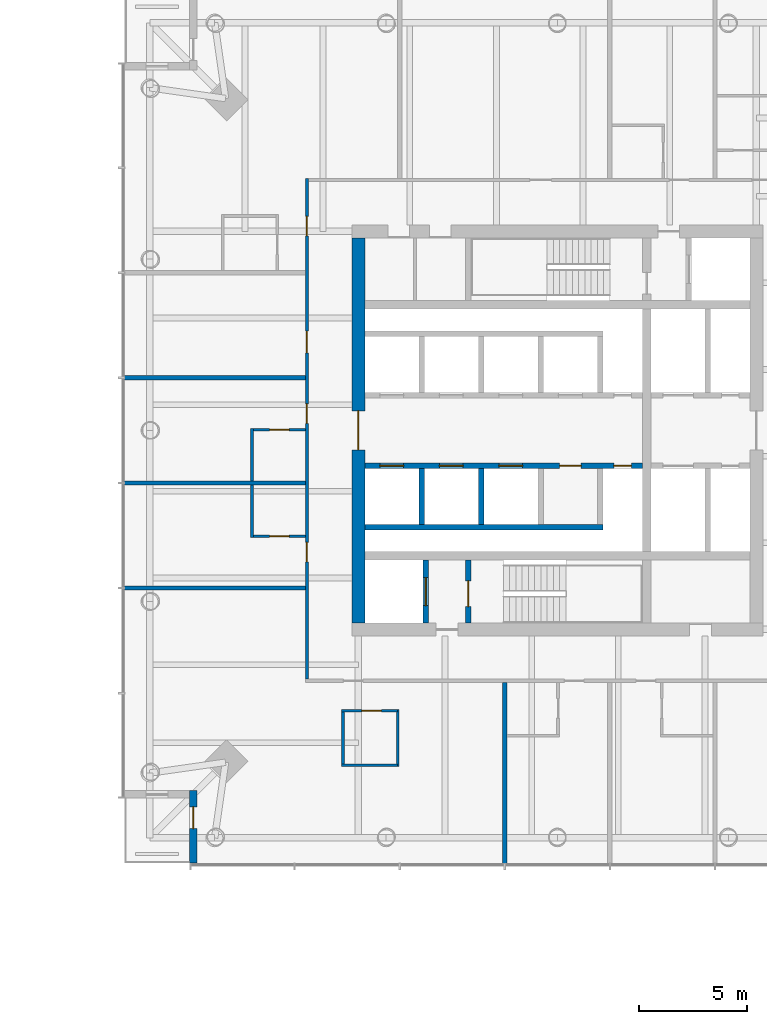
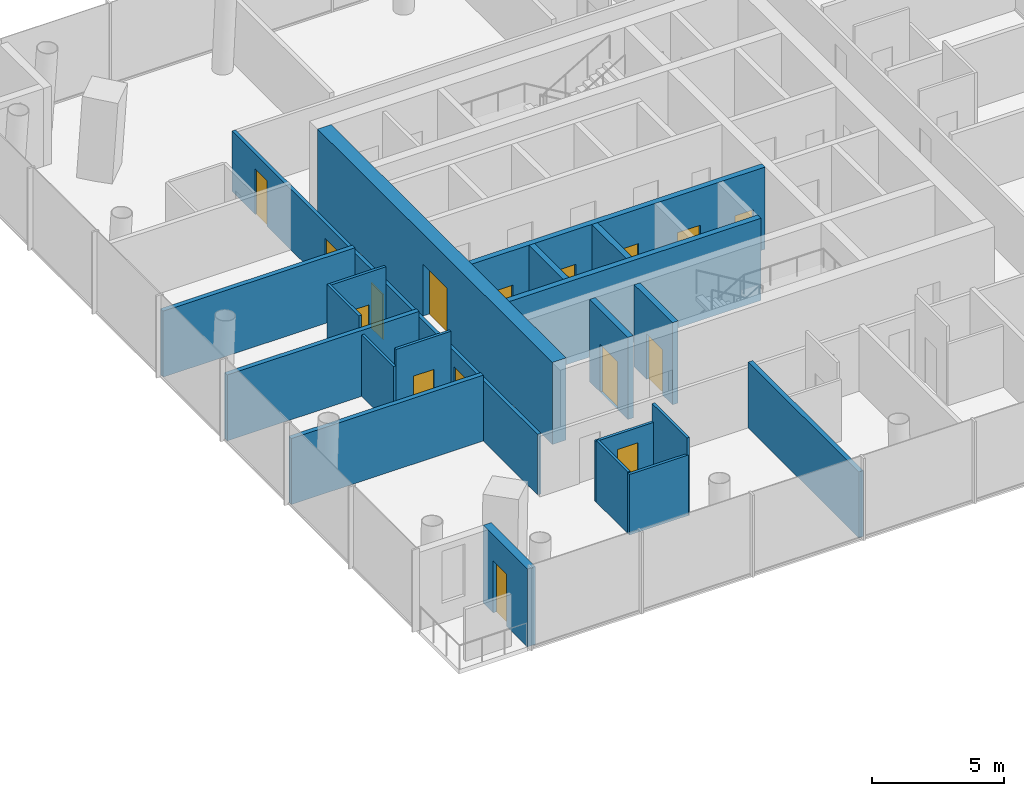
# One storey, part 13 of 19: 21 walls, 16 doors, 16 openings.
"""IFC4 building model written with IfcOpenShell, lengths in metres."""

from ifc_helpers import new_model, si_unit, direction, frame, frame_2d, origin, place, context, subcontext, project, spatial, rectangle, extrude, material, layer, layer_set, type_object, element, fill, save


model = new_model("IFC4")

# Units and contexts
model_context = context("Model", 3, precision=1e-05, world=origin(), true_north=direction((0.0, 1.0)))
body_context = subcontext(model_context, "Body", "Model", "MODEL_VIEW")
ifc_project = project(units=[si_unit("LENGTHUNIT", "METRE"), si_unit("AREAUNIT", "SQUARE_METRE"), si_unit("VOLUMEUNIT", "CUBIC_METRE"), si_unit("PLANEANGLEUNIT", "RADIAN"), si_unit("MASSUNIT", "GRAM", prefix="KILO")], contexts=[model_context])

# Site, building, storey
site_placement = place(None, origin())
site = spatial("IfcSite", under=ifc_project, at=site_placement, CompositionType="ELEMENT")
building_placement = place(site_placement, origin())
building = spatial("IfcBuilding", under=site, at=building_placement, Name="Ostroluk Exchange", CompositionType="ELEMENT")
storey_placement = place(building_placement, frame((0.0, 0.0, 24.800048828125)))
storey = spatial("IfcBuildingStorey", under=building, at=storey_placement, Name="L05", CompositionType="ELEMENT", Elevation=24.800048828125)

# Wall, opening, door
ifc_material_1 = material(Name="Concrete C40/50", Category="concrete")
ifc_layer_1 = layer(ifc_material_1, 0.25)
ifc_layer_set_1 = layer_set([ifc_layer_1], Name="Core shaft wall 250")
wall_type_1 = type_object("IfcWallType", Name="Core shaft wall 250", PredefinedType="SHEAR", material=ifc_layer_set_1)
wall_1_placement = place(storey_placement, frame((110.925048828125, 37.10009765625, 0.0), z_axis=(0.0, 0.0, 1.0), x_axis=(0.0, 1.0, 0.0)))
wall_1 = element("IfcWall", 1, at=wall_1_placement, inside=storey, type_object=wall_type_1, Name="Firefighting lift shaft wall", PredefinedType="SHEAR", context=body_context, shape_type="SweptSolid", body=[
    extrude(rectangle(XDim=2.89990234375, YDim=0.25, at=frame_2d((1.449951171875, 0.0))), origin(), (0.0, 0.0, 1.0), 3.800048828125),
])
opening_1_placement = place(wall_1_placement, frame((0.800048828125, 0.0, 0.0)))
opening_1 = element("IfcOpeningElement", 2, at=opening_1_placement, cuts=wall_1, Name="Opening LD2", PredefinedType="OPENING", context=body_context, shape_type="SweptSolid", body=[
    extrude(rectangle(XDim=1.300048828125, YDim=2.199951171875, at=frame_2d((0.64990234375, 1.10009765625))), frame((0.0, 0.135009765625, 0.0), z_axis=(0.0, -1.0, 0.0), x_axis=(1.0, 0.0, 0.0)), (0.0, 0.0, 1.0), 0.27001953125),
])
ifc_material_2 = material(Name="Stainless steel", Category="steel")
door_type_1 = type_object("IfcDoorType", Name="Lift landing door E 60 1300 x 2200", OperationType="DOUBLE_DOOR_SLIDING", PredefinedType="DOOR", material=ifc_material_2)
door_1_placement = place(opening_1_placement, origin())
door_1 = element("IfcDoor", 3, at=door_1_placement, inside=storey, type_object=door_type_1, Name="Lift HF1 landing door", OperationType="DOUBLE_DOOR_SLIDING", OverallHeight=2.199951171875, OverallWidth=1.300048828125, PredefinedType="DOOR", context=body_context, shape_type="SweptSolid", body=[
    extrude(rectangle(XDim=1.300048828125, YDim=2.199951171875, at=frame_2d((0.64990234375, 1.10009765625))), frame((0.0, 0.02490234375, 0.0), z_axis=(0.0, -1.0, 0.0), x_axis=(1.0, 0.0, 0.0)), (0.0, 0.0, 1.0), 0.050048828125),
])
fill(opening_1, door_1)

wall_2_placement = place(storey_placement, frame((112.875, 37.10009765625, 0.0), z_axis=(0.0, 0.0, 1.0), x_axis=(0.0, 1.0, 0.0)))
wall_2 = element("IfcWall", 4, at=wall_2_placement, inside=storey, type_object=wall_type_1, Name="Stair shaft wall", PredefinedType="SHEAR", context=body_context, shape_type="SweptSolid", body=[
    extrude(rectangle(XDim=2.89990234375, YDim=0.25, at=frame_2d((1.449951171875, 0.0))), origin(), (0.0, 0.0, 1.0), 3.800048828125),
])
opening_2_placement = place(wall_2_placement, frame((0.75, 0.0, 0.0)))
opening_2 = element("IfcOpeningElement", 5, at=opening_2_placement, cuts=wall_2, Name="Opening FD60S", PredefinedType="OPENING", context=body_context, shape_type="SweptSolid", body=[
    extrude(rectangle(XDim=1.199951171875, YDim=2.10009765625, at=frame_2d((0.60009765625, 1.050048828125))), frame((0.0, 0.135009765625, 0.0), z_axis=(0.0, -1.0, 0.0), x_axis=(1.0, 0.0, 0.0)), (0.0, 0.0, 1.0), 0.27001953125),
])
ifc_material_3 = material(Name="Steel", Category="steel")
door_type_2 = type_object("IfcDoorType", Name="Stair door EI 60 1200 x 2100", OperationType="SINGLE_SWING_LEFT", PredefinedType="DOOR", material=ifc_material_3)
door_2_placement = place(opening_2_placement, origin())
door_2 = element("IfcDoor", 6, at=door_2_placement, inside=storey, type_object=door_type_2, Name="Stair T2-S1 door", OperationType="SINGLE_SWING_LEFT", OverallHeight=2.10009765625, OverallWidth=1.199951171875, PredefinedType="DOOR", context=body_context, shape_type="SweptSolid", body=[
    extrude(rectangle(XDim=1.199951171875, YDim=2.10009765625, at=frame_2d((0.60009765625, 1.050048828125))), frame((0.0, 0.02490234375, 0.0), z_axis=(0.0, -1.0, 0.0), x_axis=(1.0, 0.0, 0.0)), (0.0, 0.0, 1.0), 0.050048828125),
])
fill(opening_2, door_2)

# Walls
for number, where, z_axis, x_axis, name in (
    (7, (110.72509765625, 44.25, 0.0), (0.0, 0.0, 1.0), (0.0, -1.0, 0.0), "Lift shaft wall"),
    (8, (113.47509765625, 44.25, 0.0), (0.0, 0.0, 1.0), (0.0, -1.0, 0.0), "Lift shaft wall"),
):
    element("IfcWall", number, at=place(storey_placement, frame(where, z_axis=z_axis, x_axis=x_axis)), inside=storey, type_object=wall_type_1, Name=name, PredefinedType="SHEAR", context=body_context, shape_type="SweptSolid", body=[
        extrude(rectangle(XDim=2.60009765625, YDim=0.25, at=frame_2d((1.300048828125, 0.0))), origin(), (0.0, 0.0, 1.0), 3.800048828125),
    ])
wall_3_placement = place(storey_placement, frame((108.10009765625, 41.52490234375, 0.0), z_axis=(0.0, 0.0, 1.0), x_axis=(1.0, 0.0, 0.0)))
element("IfcWall", 9, at=wall_3_placement, inside=storey, type_object=wall_type_1, Name="Lift shaft wall", PredefinedType="SHEAR", context=body_context, shape_type="SweptSolid", body=[
    extrude(rectangle(XDim=11.0, YDim=0.25, at=frame_2d((5.5, 0.0))), origin(), (0.0, 0.0, 1.0), 3.800048828125),
])

# Wall, openings, doors
wall_4_placement = place(storey_placement, frame((108.10009765625, 44.375, 0.0), z_axis=(0.0, 0.0, 1.0), x_axis=(1.0, 0.0, 0.0)))
wall_4 = element("IfcWall", 10, at=wall_4_placement, inside=storey, type_object=wall_type_1, Name="Lift shaft front wall", PredefinedType="SHEAR", context=body_context, shape_type="SweptSolid", body=[
    extrude(rectangle(XDim=12.829833984375, YDim=0.25, at=frame_2d((6.4150390625, 0.0))), origin(), (0.0, 0.0, 1.0), 3.800048828125),
])
opening_3_placement = place(wall_4_placement, frame((0.699951171875, 0.0, 0.0)))
opening_3 = element("IfcOpeningElement", 11, at=opening_3_placement, cuts=wall_4, Name="Opening LD", PredefinedType="OPENING", context=body_context, shape_type="SweptSolid", body=[
    extrude(rectangle(XDim=1.10009765625, YDim=2.199951171875, at=frame_2d((0.550048828125, 1.10009765625))), frame((0.0, 0.135009765625, 0.0), z_axis=(0.0, -1.0, 0.0), x_axis=(1.0, 0.0, 0.0)), (0.0, 0.0, 1.0), 0.27001953125),
])
opening_4_placement = place(wall_4_placement, frame((3.449951171875, 0.0, 0.0)))
opening_4 = element("IfcOpeningElement", 12, at=opening_4_placement, cuts=wall_4, Name="Opening LD", PredefinedType="OPENING", context=body_context, shape_type="SweptSolid", body=[
    extrude(rectangle(XDim=1.10009765625, YDim=2.199951171875, at=frame_2d((0.550048828125, 1.10009765625))), frame((0.0, 0.135009765625, 0.0), z_axis=(0.0, -1.0, 0.0), x_axis=(1.0, 0.0, 0.0)), (0.0, 0.0, 1.0), 0.27001953125),
])
opening_5_placement = place(wall_4_placement, frame((6.199951171875, 0.0, 0.0)))
opening_5 = element("IfcOpeningElement", 13, at=opening_5_placement, cuts=wall_4, Name="Opening LD", PredefinedType="OPENING", context=body_context, shape_type="SweptSolid", body=[
    extrude(rectangle(XDim=1.10009765625, YDim=2.199951171875, at=frame_2d((0.550048828125, 1.10009765625))), frame((0.0, 0.135009765625, 0.0), z_axis=(0.0, -1.0, 0.0), x_axis=(1.0, 0.0, 0.0)), (0.0, 0.0, 1.0), 0.27001953125),
])
opening_6_placement = place(wall_4_placement, frame((9.0, 0.0, 0.0)))
opening_6 = element("IfcOpeningElement", 14, at=opening_6_placement, cuts=wall_4, Name="Opening FD60", PredefinedType="OPENING", context=body_context, shape_type="SweptSolid", body=[
    extrude(rectangle(XDim=1.0, YDim=2.10009765625, at=frame_2d((0.5, 1.050048828125))), frame((0.0, 0.135009765625, 0.0), z_axis=(0.0, -1.0, 0.0), x_axis=(1.0, 0.0, 0.0)), (0.0, 0.0, 1.0), 0.27001953125),
])
opening_7_placement = place(wall_4_placement, frame((11.514892578125, 0.0, 0.0)))
opening_7 = element("IfcOpeningElement", 15, at=opening_7_placement, cuts=wall_4, Name="Opening RD60", PredefinedType="OPENING", context=body_context, shape_type="SweptSolid", body=[
    extrude(rectangle(XDim=0.800048828125, YDim=2.0, at=frame_2d((0.39990234375, 1.0))), frame((0.0, 0.135009765625, 0.0), z_axis=(0.0, -1.0, 0.0), x_axis=(1.0, 0.0, 0.0)), (0.0, 0.0, 1.0), 0.27001953125),
])
ifc_material_4 = material(Name="Steel", Category="steel")
door_type_3 = type_object("IfcDoorType", Name="Fire door EI 60 1000 x 2100", OperationType="SINGLE_SWING_LEFT", PredefinedType="DOOR", material=ifc_material_4)
door_3_placement = place(opening_6_placement, origin())
door_3 = element("IfcDoor", 16, at=door_3_placement, inside=storey, type_object=door_type_3, Name="Core room door", OperationType="SINGLE_SWING_RIGHT", OverallHeight=2.10009765625, OverallWidth=1.0, PredefinedType="DOOR", context=body_context, shape_type="SweptSolid", body=[
    extrude(rectangle(XDim=1.0, YDim=2.10009765625, at=frame_2d((0.5, 1.050048828125))), frame((0.0, 0.02490234375, 0.0), z_axis=(0.0, -1.0, 0.0), x_axis=(1.0, 0.0, 0.0)), (0.0, 0.0, 1.0), 0.050048828125),
])
fill(opening_6, door_3)
ifc_material_5 = material(Name="Stainless steel", Category="steel")
door_type_4 = type_object("IfcDoorType", Name="Lift landing door E 60 1100 x 2200", OperationType="DOUBLE_DOOR_SLIDING", PredefinedType="DOOR", material=ifc_material_5)
door_4_placement = place(opening_3_placement, origin())
door_4 = element("IfcDoor", 17, at=door_4_placement, inside=storey, type_object=door_type_4, Name="Lift HL5 landing door", OperationType="DOUBLE_DOOR_SLIDING", OverallHeight=2.199951171875, OverallWidth=1.10009765625, PredefinedType="DOOR", context=body_context, shape_type="SweptSolid", body=[
    extrude(rectangle(XDim=1.10009765625, YDim=2.199951171875, at=frame_2d((0.550048828125, 1.10009765625))), frame((0.0, 0.02490234375, 0.0), z_axis=(0.0, -1.0, 0.0), x_axis=(1.0, 0.0, 0.0)), (0.0, 0.0, 1.0), 0.050048828125),
])
fill(opening_3, door_4)
door_5_placement = place(opening_4_placement, origin())
door_5 = element("IfcDoor", 18, at=door_5_placement, inside=storey, type_object=door_type_4, Name="Lift HL6 landing door", OperationType="DOUBLE_DOOR_SLIDING", OverallHeight=2.199951171875, OverallWidth=1.10009765625, PredefinedType="DOOR", context=body_context, shape_type="SweptSolid", body=[
    extrude(rectangle(XDim=1.10009765625, YDim=2.199951171875, at=frame_2d((0.550048828125, 1.10009765625))), frame((0.0, 0.02490234375, 0.0), z_axis=(0.0, -1.0, 0.0), x_axis=(1.0, 0.0, 0.0)), (0.0, 0.0, 1.0), 0.050048828125),
])
fill(opening_4, door_5)
door_6_placement = place(opening_5_placement, origin())
door_6 = element("IfcDoor", 19, at=door_6_placement, inside=storey, type_object=door_type_4, Name="Lift HL7 landing door", OperationType="DOUBLE_DOOR_SLIDING", OverallHeight=2.199951171875, OverallWidth=1.10009765625, PredefinedType="DOOR", context=body_context, shape_type="SweptSolid", body=[
    extrude(rectangle(XDim=1.10009765625, YDim=2.199951171875, at=frame_2d((0.550048828125, 1.10009765625))), frame((0.0, 0.02490234375, 0.0), z_axis=(0.0, -1.0, 0.0), x_axis=(1.0, 0.0, 0.0)), (0.0, 0.0, 1.0), 0.050048828125),
])
fill(opening_5, door_6)
ifc_material_6 = material(Name="Steel", Category="steel")
door_type_5 = type_object("IfcDoorType", Name="Riser access door EI 60 800 x 2000", OperationType="SINGLE_SWING_LEFT", PredefinedType="DOOR", material=ifc_material_6)
door_7_placement = place(opening_7_placement, origin())
door_7 = element("IfcDoor", 20, at=door_7_placement, inside=storey, type_object=door_type_5, Name="Riser access door", OperationType="SINGLE_SWING_RIGHT", OverallHeight=2.0, OverallWidth=0.800048828125, PredefinedType="DOOR", context=body_context, shape_type="SweptSolid", body=[
    extrude(rectangle(XDim=0.800048828125, YDim=2.0, at=frame_2d((0.39990234375, 1.0))), frame((0.0, 0.02490234375, 0.0), z_axis=(0.0, -1.0, 0.0), x_axis=(1.0, 0.0, 0.0)), (0.0, 0.0, 1.0), 0.050048828125),
])
fill(opening_7, door_7)

# Wall, opening, door
ifc_material_7 = material(Name="Concrete C50/60", Category="concrete")
ifc_layer_2 = layer(ifc_material_7, 0.60009765625)
ifc_layer_set_2 = layer_set([ifc_layer_2], Name="Core wall 600 C50/60")
wall_type_2 = type_object("IfcWallType", Name="Core wall 600 C50/60", PredefinedType="SHEAR", material=ifc_layer_set_2)
wall_5_placement = place(storey_placement, frame((107.800048828125, 37.10009765625, 0.0), z_axis=(0.0, 0.0, 1.0), x_axis=(0.0, 1.0, 0.0)))
wall_5 = element("IfcWall", 21, at=wall_5_placement, inside=storey, type_object=wall_type_2, Name="T2 core wall W", PredefinedType="SHEAR", context=body_context, shape_type="SweptSolid", body=[
    extrude(rectangle(XDim=17.7998046875, YDim=0.60009765625, at=frame_2d((8.89990234375, 0.0))), origin(), (0.0, 0.0, 1.0), 3.800048828125),
])
opening_8_placement = place(wall_5_placement, frame((8.0, 0.0, 0.0)))
opening_8 = element("IfcOpeningElement", 22, at=opening_8_placement, cuts=wall_5, Name="Opening FD30D", PredefinedType="OPENING", context=body_context, shape_type="SweptSolid", body=[
    extrude(rectangle(XDim=1.800048828125, YDim=2.39990234375, at=frame_2d((0.89990234375, 1.199951171875))), frame((0.0, 0.31005859375, 0.0), z_axis=(0.0, -1.0, 0.0), x_axis=(1.0, 0.0, 0.0)), (0.0, 0.0, 1.0), 0.6201171875),
])
ifc_material_8 = material(Name="Timber", Category="wood")
door_type_6 = type_object("IfcDoorType", Name="Lobby double door EI 30 1800 x 2400", OperationType="DOUBLE_DOOR_SINGLE_SWING", PredefinedType="DOOR", material=ifc_material_8)
door_8_placement = place(opening_8_placement, origin())
door_8 = element("IfcDoor", 23, at=door_8_placement, inside=storey, type_object=door_type_6, Name="Lift lobby doors", OperationType="DOUBLE_DOOR_SINGLE_SWING", OverallHeight=2.39990234375, OverallWidth=1.800048828125, PredefinedType="DOOR", context=body_context, shape_type="SweptSolid", body=[
    extrude(rectangle(XDim=1.800048828125, YDim=2.39990234375, at=frame_2d((0.89990234375, 1.199951171875))), frame((0.0, 0.02490234375, 0.0), z_axis=(0.0, -1.0, 0.0), x_axis=(1.0, 0.0, 0.0)), (0.0, 0.0, 1.0), 0.050048828125),
])
fill(opening_8, door_8)

ifc_material_9 = material(Name="Limestone", Category="masonry")
ifc_layer_3 = layer(ifc_material_9, 0.35009765625)
ifc_layer_set_3 = layer_set([ifc_layer_3], Name="Limestone facade wall 350")
wall_type_3 = type_object("IfcWallType", Name="Limestone facade wall 350", PredefinedType="SOLIDWALL", material=ifc_layer_set_3)
wall_6_placement = place(storey_placement, frame((100.175048828125, 26.0, 0.0), z_axis=(0.0, 0.0, 1.0), x_axis=(0.0, 1.0, 0.0)))
wall_6 = element("IfcWall", 24, at=wall_6_placement, inside=storey, type_object=wall_type_3, Name="Hotel tower SW corner wall L05 a", PredefinedType="SOLIDWALL", context=body_context, shape_type="SweptSolid", body=[
    extrude(rectangle(XDim=3.35009765625, YDim=0.35009765625, at=frame_2d((1.675048828125, 0.0))), origin(), (0.0, 0.0, 1.0), 3.599853515625),
])
opening_9_placement = place(wall_6_placement, frame((1.60009765625, 0.0, 0.0)))
opening_9 = element("IfcOpeningElement", 25, at=opening_9_placement, cuts=wall_6, Name="Opening D-B1", PredefinedType="OPENING", context=body_context, shape_type="SweptSolid", body=[
    extrude(rectangle(XDim=1.0, YDim=2.39990234375, at=frame_2d((0.5, 1.199951171875))), frame((0.0, 0.18505859375, 0.0), z_axis=(0.0, -1.0, 0.0), x_axis=(1.0, 0.0, 0.0)), (0.0, 0.0, 1.0), 0.3701171875),
])
ifc_material_10 = material(Name="Bronze framed glazed door", Category="aluminium")
door_type_7 = type_object("IfcDoorType", Name="Balcony door 1000 x 2400", OperationType="SINGLE_SWING_LEFT", PredefinedType="DOOR", material=ifc_material_10)
door_9_placement = place(opening_9_placement, origin())
door_9 = element("IfcDoor", 26, at=door_9_placement, inside=storey, type_object=door_type_7, Name="Hotel tower SW balcony door L05", OperationType="SINGLE_SWING_RIGHT", OverallHeight=2.39990234375, OverallWidth=1.0, PredefinedType="DOOR", context=body_context, shape_type="SweptSolid", body=[
    extrude(rectangle(XDim=1.0, YDim=2.39990234375, at=frame_2d((0.5, 1.199951171875))), frame((0.0, 0.02490234375, 0.0), z_axis=(0.0, -1.0, 0.0), x_axis=(1.0, 0.0, 0.0)), (0.0, 0.0, 1.0), 0.050048828125),
])
fill(opening_9, door_9)

# Wall
ifc_material_11 = material(Name="Gypsum plasterboard partition, moisture resistant", Category="gypsum")
ifc_layer_4 = layer(ifc_material_11, 0.1201171875)
ifc_layer_set_4 = layer_set([ifc_layer_4], Name="Plasterboard en-suite wall 120")
wall_type_4 = type_object("IfcWallType", Name="Plasterboard en-suite wall 120", PredefinedType="PARTITIONING", material=ifc_layer_set_4)
wall_7_placement = place(storey_placement, frame((102.889892578125, 46.09130859375, 0.0), z_axis=(0.0, 0.0, 1.0), x_axis=(0.0, -1.0, 0.0)))
element("IfcWall", 27, at=wall_7_placement, inside=storey, type_object=wall_type_4, Name="En-suite wall", PredefinedType="PARTITIONING", context=body_context, shape_type="SweptSolid", body=[
    extrude(rectangle(XDim=2.419921875, YDim=0.1201171875, at=frame_2d((1.2099609375, 0.0))), origin(), (0.0, 0.0, 1.0), 3.599853515625),
])

# Wall, opening, door
wall_8_placement = place(storey_placement, frame((105.35009765625, 46.031494140625, 0.0), z_axis=(0.0, 0.0, 1.0), x_axis=(-1.0, 0.0, 0.0)))
wall_8 = element("IfcWall", 28, at=wall_8_placement, inside=storey, type_object=wall_type_4, Name="En-suite wall", PredefinedType="PARTITIONING", context=body_context, shape_type="SweptSolid", body=[
    extrude(rectangle(XDim=2.400146484375, YDim=0.1201171875, at=frame_2d((1.2001953125, 0.0))), origin(), (0.0, 0.0, 1.0), 3.599853515625),
])
opening_10_placement = place(wall_8_placement, frame((0.75, 0.0, 0.0)))
opening_10 = element("IfcOpeningElement", 29, at=opening_10_placement, cuts=wall_8, Name="Opening D-02", PredefinedType="OPENING", context=body_context, shape_type="SweptSolid", body=[
    extrude(rectangle(XDim=0.89990234375, YDim=2.10009765625, at=frame_2d((0.449951171875, 1.050048828125))), frame((0.0, 0.070068359375, 0.0), z_axis=(0.0, -1.0, 0.0), x_axis=(1.0, 0.0, 0.0)), (0.0, 0.0, 1.0), 0.14013671875),
])
ifc_material_12 = material(Name="Timber", Category="wood")
door_type_8 = type_object("IfcDoorType", Name="En-suite door 900 x 2100", OperationType="SINGLE_SWING_LEFT", PredefinedType="DOOR", material=ifc_material_12)
door_10_placement = place(opening_10_placement, origin())
door_10 = element("IfcDoor", 30, at=door_10_placement, inside=storey, type_object=door_type_8, Name="En-suite door 507", OperationType="SINGLE_SWING_RIGHT", OverallHeight=2.10009765625, OverallWidth=0.89990234375, PredefinedType="DOOR", context=body_context, shape_type="SweptSolid", body=[
    extrude(rectangle(XDim=0.89990234375, YDim=2.10009765625, at=frame_2d((0.449951171875, 1.050048828125))), frame((0.0, 0.02490234375, 0.0), z_axis=(0.0, -1.0, 0.0), x_axis=(1.0, 0.0, 0.0)), (0.0, 0.0, 1.0), 0.050048828125),
])
fill(opening_10, door_10)

# Wall
wall_9_placement = place(storey_placement, frame((102.889892578125, 43.471435546875, 0.0), z_axis=(0.0, 0.0, 1.0), x_axis=(0.0, -1.0, 0.0)))
element("IfcWall", 31, at=wall_9_placement, inside=storey, type_object=wall_type_4, Name="En-suite wall", PredefinedType="PARTITIONING", context=body_context, shape_type="SweptSolid", body=[
    extrude(rectangle(XDim=2.419921875, YDim=0.1201171875, at=frame_2d((1.2099609375, 0.0))), origin(), (0.0, 0.0, 1.0), 2.846923828125),
])

# Wall, opening, door
wall_10_placement = place(storey_placement, frame((105.35009765625, 41.111328125, 0.0), z_axis=(0.0, 0.0, 1.0), x_axis=(-1.0, 0.0, 0.0)))
wall_10 = element("IfcWall", 32, at=wall_10_placement, inside=storey, type_object=wall_type_4, Name="En-suite wall", PredefinedType="PARTITIONING", context=body_context, shape_type="SweptSolid", body=[
    extrude(rectangle(XDim=2.400146484375, YDim=0.1201171875, at=frame_2d((1.2001953125, 0.0))), origin(), (0.0, 0.0, 1.0), 3.599853515625),
])
opening_11_placement = place(wall_10_placement, frame((0.75, 0.0, 0.0)))
opening_11 = element("IfcOpeningElement", 33, at=opening_11_placement, cuts=wall_10, Name="Opening D-02", PredefinedType="OPENING", context=body_context, shape_type="SweptSolid", body=[
    extrude(rectangle(XDim=0.89990234375, YDim=2.10009765625, at=frame_2d((0.449951171875, 1.050048828125))), frame((0.0, 0.070068359375, 0.0), z_axis=(0.0, -1.0, 0.0), x_axis=(1.0, 0.0, 0.0)), (0.0, 0.0, 1.0), 0.14013671875),
])
door_11_placement = place(opening_11_placement, origin())
door_11 = element("IfcDoor", 34, at=door_11_placement, inside=storey, type_object=door_type_8, Name="En-suite door 508", OperationType="SINGLE_SWING_RIGHT", OverallHeight=2.10009765625, OverallWidth=0.89990234375, PredefinedType="DOOR", context=body_context, shape_type="SweptSolid", body=[
    extrude(rectangle(XDim=0.89990234375, YDim=2.10009765625, at=frame_2d((0.449951171875, 1.050048828125))), frame((0.0, 0.02490234375, 0.0), z_axis=(0.0, -1.0, 0.0), x_axis=(1.0, 0.0, 0.0)), (0.0, 0.0, 1.0), 0.050048828125),
])
fill(opening_11, door_11)

wall_11_placement = place(storey_placement, frame((109.6142578125, 33.050048828125, 0.0), z_axis=(0.0, 0.0, 1.0), x_axis=(-1.0, 0.0, 0.0)))
wall_11 = element("IfcWall", 35, at=wall_11_placement, inside=storey, type_object=wall_type_4, Name="En-suite wall", PredefinedType="PARTITIONING", context=body_context, shape_type="SweptSolid", body=[
    extrude(rectangle(XDim=2.580078125, YDim=0.1201171875, at=frame_2d((1.2900390625, 0.0))), origin(), (0.0, 0.0, 1.0), 2.800048828125),
])
opening_12_placement = place(wall_11_placement, frame((0.75, 0.0, 0.0)))
opening_12 = element("IfcOpeningElement", 36, at=opening_12_placement, cuts=wall_11, Name="Opening D-02", PredefinedType="OPENING", context=body_context, shape_type="SweptSolid", body=[
    extrude(rectangle(XDim=0.89990234375, YDim=2.10009765625, at=frame_2d((0.449951171875, 1.050048828125))), frame((0.0, 0.070068359375, 0.0), z_axis=(0.0, -1.0, 0.0), x_axis=(1.0, 0.0, 0.0)), (0.0, 0.0, 1.0), 0.14013671875),
])
door_12_placement = place(opening_12_placement, origin())
door_12 = element("IfcDoor", 37, at=door_12_placement, inside=storey, type_object=door_type_8, Name="En-suite door 509", OperationType="SINGLE_SWING_LEFT", OverallHeight=2.10009765625, OverallWidth=0.89990234375, PredefinedType="DOOR", context=body_context, shape_type="SweptSolid", body=[
    extrude(rectangle(XDim=0.89990234375, YDim=2.10009765625, at=frame_2d((0.449951171875, 1.050048828125))), frame((0.0, 0.02490234375, 0.0), z_axis=(0.0, -1.0, 0.0), x_axis=(1.0, 0.0, 0.0)), (0.0, 0.0, 1.0), 0.050048828125),
])
fill(opening_12, door_12)

# Walls
wall_12_placement = place(storey_placement, frame((109.6142578125, 30.530029296875, 0.0), z_axis=(0.0, 0.0, 1.0), x_axis=(-1.0, 0.0, 0.0)))
element("IfcWall", 38, at=wall_12_placement, inside=storey, type_object=wall_type_4, Name="En-suite wall", PredefinedType="PARTITIONING", context=body_context, shape_type="SweptSolid", body=[
    extrude(rectangle(XDim=2.580078125, YDim=0.1201171875, at=frame_2d((1.2900390625, 0.0))), origin(), (0.0, 0.0, 1.0), 2.800048828125),
])
wall_13_placement = place(storey_placement, frame((107.09423828125, 32.989990234375, 0.0), z_axis=(0.0, 0.0, 1.0), x_axis=(0.0, -1.0, 0.0)))
element("IfcWall", 39, at=wall_13_placement, inside=storey, type_object=wall_type_4, Name="En-suite wall", PredefinedType="PARTITIONING", context=body_context, shape_type="SweptSolid", body=[
    extrude(rectangle(XDim=2.39990234375, YDim=0.1201171875, at=frame_2d((1.199951171875, 0.0))), origin(), (0.0, 0.0, 1.0), 2.846923828125),
])
wall_14_placement = place(storey_placement, frame((109.6142578125, 33.110107421875, 0.0), z_axis=(0.0, 0.0, 1.0), x_axis=(0.0, -1.0, 0.0)))
element("IfcWall", 40, at=wall_14_placement, inside=storey, type_object=wall_type_4, Name="En-suite wall", PredefinedType="PARTITIONING", context=body_context, shape_type="SweptSolid", body=[
    extrude(rectangle(XDim=2.64013671875, YDim=0.1201171875, at=frame_2d((1.320068359375, 0.0))), origin(), (0.0, 0.0, 1.0), 3.599853515625),
])

# Wall, openings, doors
ifc_material_13 = material(Name="Gypsum plasterboard partition", Category="gypsum")
ifc_layer_5 = layer(ifc_material_13, 0.14990234375)
ifc_layer_set_5 = layer_set([ifc_layer_5], Name="Plasterboard partition 150")
wall_type_5 = type_object("IfcWallType", Name="Plasterboard partition 150", PredefinedType="PARTITIONING", material=ifc_layer_set_5)
wall_15_placement = place(storey_placement, frame((105.425048828125, 57.64990234375, 0.0), z_axis=(0.0, 0.0, 1.0), x_axis=(0.0, -1.0, 0.0)))
wall_15 = element("IfcWall", 41, at=wall_15_placement, inside=storey, type_object=wall_type_5, Name="Corridor wall", PredefinedType="PARTITIONING", context=body_context, shape_type="SweptSolid", body=[
    extrude(rectangle(XDim=23.14990234375, YDim=0.14990234375, at=frame_2d((11.574951171875, 0.0))), origin(), (0.0, 0.0, 1.0), 2.800048828125),
])
opening_13_placement = place(wall_15_placement, frame((1.757080078125, 0.0, 0.0)))
opening_13 = element("IfcOpeningElement", 42, at=opening_13_placement, cuts=wall_15, Name="Opening D-01", PredefinedType="OPENING", context=body_context, shape_type="SweptSolid", body=[
    extrude(rectangle(XDim=0.89990234375, YDim=2.10009765625, at=frame_2d((0.449951171875, 1.050048828125))), frame((0.0, 0.0849609375, 0.0), z_axis=(0.0, -1.0, 0.0), x_axis=(1.0, 0.0, 0.0)), (0.0, 0.0, 1.0), 0.169921875),
])
opening_14_placement = place(wall_15_placement, frame((7.064208984375, 0.0, 0.0)))
opening_14 = element("IfcOpeningElement", 43, at=opening_14_placement, cuts=wall_15, Name="Opening D-03", PredefinedType="OPENING", context=body_context, shape_type="SweptSolid", body=[
    extrude(rectangle(XDim=1.0, YDim=2.10009765625, at=frame_2d((0.5, 1.050048828125))), frame((0.0, 0.0849609375, 0.0), z_axis=(0.0, -1.0, 0.0), x_axis=(1.0, 0.0, 0.0)), (0.0, 0.0, 1.0), 0.169921875),
])
opening_15_placement = place(wall_15_placement, frame((10.428466796875, 0.0, 0.0)))
opening_15 = element("IfcOpeningElement", 44, at=opening_15_placement, cuts=wall_15, Name="Opening D-01", PredefinedType="OPENING", context=body_context, shape_type="SweptSolid", body=[
    extrude(rectangle(XDim=0.89990234375, YDim=2.10009765625, at=frame_2d((0.449951171875, 1.050048828125))), frame((0.0, 0.0849609375, 0.0), z_axis=(0.0, -1.0, 0.0), x_axis=(1.0, 0.0, 0.0)), (0.0, 0.0, 1.0), 0.169921875),
])
opening_16_placement = place(wall_15_placement, frame((16.82861328125, 0.0, 0.0)))
opening_16 = element("IfcOpeningElement", 45, at=opening_16_placement, cuts=wall_15, Name="Opening D-01", PredefinedType="OPENING", context=body_context, shape_type="SweptSolid", body=[
    extrude(rectangle(XDim=0.89990234375, YDim=2.10009765625, at=frame_2d((0.449951171875, 1.050048828125))), frame((0.0, 0.0849609375, 0.0), z_axis=(0.0, -1.0, 0.0), x_axis=(1.0, 0.0, 0.0)), (0.0, 0.0, 1.0), 0.169921875),
])
ifc_material_14 = material(Name="Timber", Category="wood")
door_type_9 = type_object("IfcDoorType", Name="Hotel room door EI 30 Sa 900 x 2100", OperationType="SINGLE_SWING_LEFT", PredefinedType="DOOR", material=ifc_material_14)
door_13_placement = place(opening_13_placement, origin())
door_13 = element("IfcDoor", 46, at=door_13_placement, inside=storey, type_object=door_type_9, Name="Room door 506", OperationType="SINGLE_SWING_LEFT", OverallHeight=2.10009765625, OverallWidth=0.89990234375, PredefinedType="DOOR", context=body_context, shape_type="SweptSolid", body=[
    extrude(rectangle(XDim=0.89990234375, YDim=2.10009765625, at=frame_2d((0.449951171875, 1.050048828125))), frame((0.0, 0.02490234375, 0.0), z_axis=(0.0, -1.0, 0.0), x_axis=(1.0, 0.0, 0.0)), (0.0, 0.0, 1.0), 0.050048828125),
])
fill(opening_13, door_13)
door_14_placement = place(opening_15_placement, origin())
door_14 = element("IfcDoor", 47, at=door_14_placement, inside=storey, type_object=door_type_9, Name="Room door 507", OperationType="SINGLE_SWING_LEFT", OverallHeight=2.10009765625, OverallWidth=0.89990234375, PredefinedType="DOOR", context=body_context, shape_type="SweptSolid", body=[
    extrude(rectangle(XDim=0.89990234375, YDim=2.10009765625, at=frame_2d((0.449951171875, 1.050048828125))), frame((0.0, 0.02490234375, 0.0), z_axis=(0.0, -1.0, 0.0), x_axis=(1.0, 0.0, 0.0)), (0.0, 0.0, 1.0), 0.050048828125),
])
fill(opening_15, door_14)
door_15_placement = place(opening_16_placement, origin())
door_15 = element("IfcDoor", 48, at=door_15_placement, inside=storey, type_object=door_type_9, Name="Room door 508", OperationType="SINGLE_SWING_RIGHT", OverallHeight=2.10009765625, OverallWidth=0.89990234375, PredefinedType="DOOR", context=body_context, shape_type="SweptSolid", body=[
    extrude(rectangle(XDim=0.89990234375, YDim=2.10009765625, at=frame_2d((0.449951171875, 1.050048828125))), frame((0.0, 0.02490234375, 0.0), z_axis=(0.0, -1.0, 0.0), x_axis=(1.0, 0.0, 0.0)), (0.0, 0.0, 1.0), 0.050048828125),
])
fill(opening_16, door_15)
ifc_material_15 = material(Name="Timber", Category="wood")
door_type_10 = type_object("IfcDoorType", Name="Internal door 1000 x 2100", OperationType="SINGLE_SWING_LEFT", PredefinedType="DOOR", material=ifc_material_15)
door_16_placement = place(opening_14_placement, origin())
door_16 = element("IfcDoor", 49, at=door_16_placement, inside=storey, type_object=door_type_10, Name="Housekeeping store door", OperationType="SINGLE_SWING_LEFT", OverallHeight=2.10009765625, OverallWidth=1.0, PredefinedType="DOOR", context=body_context, shape_type="SweptSolid", body=[
    extrude(rectangle(XDim=1.0, YDim=2.10009765625, at=frame_2d((0.5, 1.050048828125))), frame((0.0, 0.02490234375, 0.0), z_axis=(0.0, -1.0, 0.0), x_axis=(1.0, 0.0, 0.0)), (0.0, 0.0, 1.0), 0.050048828125),
])
fill(opening_14, door_16)

# Walls
ifc_material_16 = material(Name="Gypsum plasterboard partition", Category="gypsum")
ifc_layer_6 = layer(ifc_material_16, 0.199951171875)
ifc_layer_set_6 = layer_set([ifc_layer_6], Name="Plasterboard party wall 200")
wall_type_6 = type_object("IfcWallType", Name="Plasterboard party wall 200", PredefinedType="PARTITIONING", material=ifc_layer_set_6)
for number, where, z_axis, x_axis, name in (
    (50, (105.35009765625, 48.428466796875, 0.0), (0.0, 0.0, 1.0), (-1.0, 0.0, 0.0), "Party wall"),
    (51, (105.35009765625, 43.571533203125, 0.0), (0.0, 0.0, 1.0), (-1.0, 0.0, 0.0), "Party wall"),
    (52, (105.35009765625, 38.71435546875, 0.0), (0.0, 0.0, 1.0), (-1.0, 0.0, 0.0), "Party wall"),
    (53, (114.571533203125, 34.35009765625, 0.0), (0.0, 0.0, 1.0), (0.0, -1.0, 0.0), "Party wall"),
):
    element("IfcWall", number, at=place(storey_placement, frame(where, z_axis=z_axis, x_axis=x_axis)), inside=storey, type_object=wall_type_6, Name=name, PredefinedType="PARTITIONING", context=body_context, shape_type="SweptSolid", body=[
        extrude(rectangle(XDim=8.39013671875, YDim=0.199951171875, at=frame_2d((4.195068359375, 0.0))), origin(), (0.0, 0.0, 1.0), 3.050048828125),
    ])

save(model, "model.ifc")
